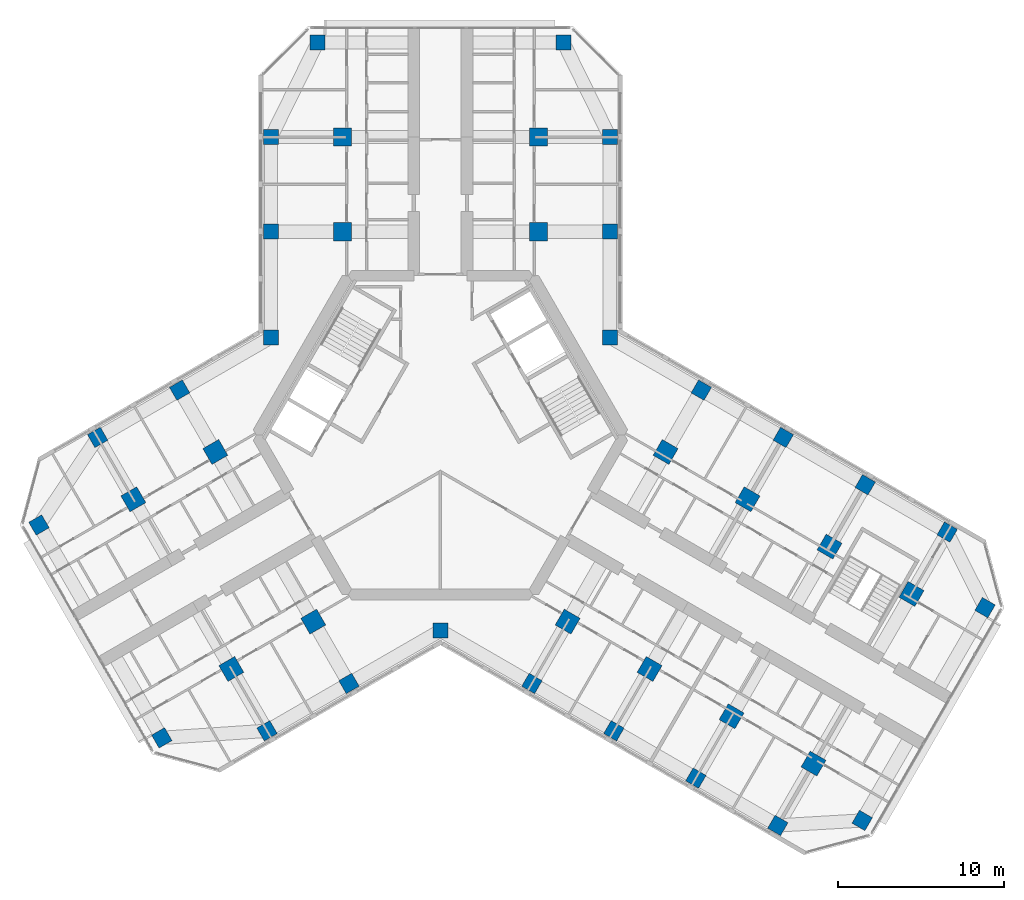
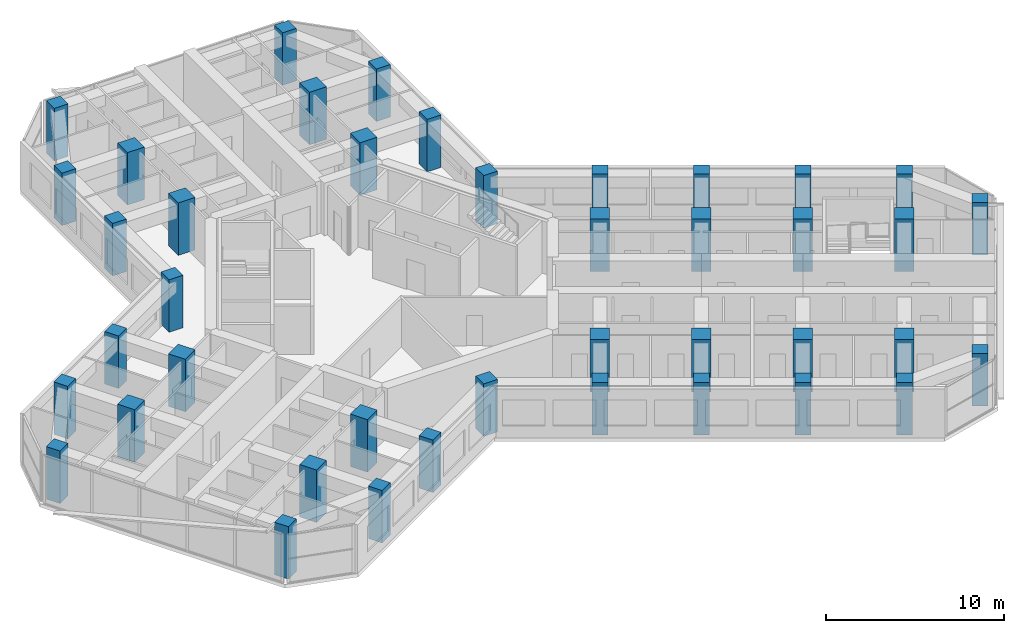
# One storey, part 1 of 16: 41 columns.
"""IFC4 building model written with IfcOpenShell, lengths in metres."""

from ifc_helpers import new_model, si_unit, direction, frame, origin, origin_2d, place, context, subcontext, project, spatial, rectangle, extrude, material, material_profile, profile_set, type_object, element, save


model = new_model("IFC4")

# Units and contexts
model_context = context("Model", 3, precision=1e-05, world=origin(), true_north=direction((0.0, 1.0)))
body_context = subcontext(model_context, "Body", "Model", "MODEL_VIEW")
ifc_project = project(units=[si_unit("LENGTHUNIT", "METRE"), si_unit("AREAUNIT", "SQUARE_METRE"), si_unit("VOLUMEUNIT", "CUBIC_METRE"), si_unit("PLANEANGLEUNIT", "RADIAN"), si_unit("MASSUNIT", "GRAM", prefix="KILO")], contexts=[model_context])

# Site, building, storey
site_placement = place(None, origin())
site = spatial("IfcSite", under=ifc_project, at=site_placement, CompositionType="ELEMENT")
building_placement = place(site_placement, origin())
building = spatial("IfcBuilding", under=site, at=building_placement, Name="Kosmar Iwan School Tower", CompositionType="ELEMENT")
storey_placement = place(building_placement, frame((0.0, 0.0, 208.199951171875)))
storey = spatial("IfcBuildingStorey", under=building, at=storey_placement, Name="L52", CompositionType="ELEMENT", Elevation=208.199951171875)

# Columns
ifc_material_1 = material(Name="Concrete C50/60", Category="concrete")
ifc_material_profile_1 = material_profile(ifc_material_1, rectangle(XDim=0.89990234375, YDim=0.89990234375, at=origin_2d()), Name="RC 900x900 + HD 400x347")
ifc_profile_set_1 = profile_set([ifc_material_profile_1], Name="Concrete C50/60")
column_type_1 = type_object("IfcColumnType", Name="Composite column 900x900 HD 400x347", PredefinedType="COLUMN", material=ifc_profile_set_1)
for number, where, z_axis, x_axis, name in (
    (1, (-10.199951171875, 12.25, 0.0), (0.0, 0.0, 1.0), (0.0, 1.0, 0.0), "Column AL1 L52"),
    (2, (-10.199951171875, 17.949951171875, 0.0), (0.0, 0.0, 1.0), (0.0, 1.0, 0.0), "Column AL2 L52"),
    (3, (-7.39990234375, 23.64990234375, 0.0), (0.0, 0.0, 1.0), (0.0, 1.0, 0.0), "Column ALTIP L52"),
    (4, (10.199951171875, 12.25, 0.0), (0.0, 0.0, 1.0), (0.0, 1.0, 0.0), "Column AR1 L52"),
    (5, (10.199951171875, 17.949951171875, 0.0), (0.0, 0.0, 1.0), (0.0, 1.0, 0.0), "Column AR2 L52"),
    (6, (7.39990234375, 23.64990234375, 0.0), (0.0, 0.0, 1.0), (0.0, 1.0, 0.0), "Column ARTIP L52"),
    (7, (-5.5087890625, -14.95849609375, 0.0), (0.0, 0.0, 1.0), (-0.866025403784, -0.5, 0.0), "Column BL1 L52"),
    (8, (-10.445068359375, -17.808349609375, 0.0), (0.0, 0.0, 1.0), (-0.866025403784, -0.5, 0.0), "Column BL2 L52"),
    (9, (-16.781494140625, -18.233642578125, 0.0), (0.0, 0.0, 1.0), (-0.866025403784, -0.5, 0.0), "Column BLTIP L52"),
    (10, (-15.708740234375, 2.70849609375, 0.0), (0.0, 0.0, 1.0), (-0.866025403784, -0.5, 0.0), "Column BR1 L52"),
    (11, (-20.645263671875, -0.1416015625, 0.0), (0.0, 0.0, 1.0), (-0.866025403784, -0.5, 0.0), "Column BR2 L52"),
    (12, (-24.181396484375, -5.41650390625, 0.0), (0.0, 0.0, 1.0), (-0.866025403784, -0.5, 0.0), "Column BRTIP L52"),
    (13, (15.708740234375, 2.70849609375, 0.0), (0.0, 0.0, 1.0), (0.866025403784, -0.5, 0.0), "Column CL1 L52"),
    (14, (20.645263671875, -0.1416015625, 0.0), (0.0, 0.0, 1.0), (0.866025403784, -0.5, 0.0), "Column CL2 L52"),
    (15, (25.58154296875, -2.991455078125, 0.0), (0.0, 0.0, 1.0), (0.866025403784, -0.5, 0.0), "Column CL3 L52"),
    (16, (30.517822265625, -5.841552734375, 0.0), (0.0, 0.0, 1.0), (0.866025403784, -0.5, 0.0), "Column CL4 L52"),
    (17, (32.79833984375, -10.391357421875, 0.0), (0.0, 0.0, 1.0), (0.866025403784, -0.5, 0.0), "Column CLTIP L52"),
    (18, (5.5087890625, -14.95849609375, 0.0), (0.0, 0.0, 1.0), (0.866025403784, -0.5, 0.0), "Column CR1 L52"),
    (19, (10.445068359375, -17.808349609375, 0.0), (0.0, 0.0, 1.0), (0.866025403784, -0.5, 0.0), "Column CR2 L52"),
    (20, (15.381591796875, -20.658447265625, 0.0), (0.0, 0.0, 1.0), (0.866025403784, -0.5, 0.0), "Column CR3 L52"),
    (21, (20.31787109375, -23.508544921875, 0.0), (0.0, 0.0, 1.0), (0.866025403784, -0.5, 0.0), "Column CR4 L52"),
    (22, (25.3984375, -23.20849609375, 0.0), (0.0, 0.0, 1.0), (0.866025403784, -0.5, 0.0), "Column CRTIP L52"),
    (23, (-10.199951171875, 5.888916015625, 0.0), (0.0, 0.0, 1.0), (1.0, 0.0, 0.0), "Column RAB L52"),
    (24, (10.199951171875, 5.888916015625, 0.0), (0.0, 0.0, 1.0), (1.0, 0.0, 0.0), "Column RAC L52"),
    (25, (0.0, -11.77783203125, 0.0), (0.0, 0.0, 1.0), (1.0, 0.0, 0.0), "Column RBC L52"),
):
    element("IfcColumn", number, at=place(storey_placement, frame(where, z_axis=z_axis, x_axis=x_axis)), inside=storey, type_object=column_type_1, Name=name, PredefinedType="COLUMN", context=body_context, shape_type="SweptSolid", body=[
        extrude(rectangle(XDim=0.89990234375, YDim=0.89990234375, at=origin_2d()), origin(), (0.0, 0.0, 1.0), 3.60009765625),
    ])
ifc_material_2 = material(Name="Concrete C50/60", Category="concrete")
ifc_material_profile_2 = material_profile(ifc_material_2, rectangle(XDim=1.10009765625, YDim=1.10009765625, at=origin_2d()), Name="RC 1100x1100")
ifc_profile_set_2 = profile_set([ifc_material_profile_2], Name="Concrete C50/60")
column_type_2 = type_object("IfcColumnType", Name="RC interior column 1100x1100", PredefinedType="COLUMN", material=ifc_profile_set_2)
for number, where, z_axis, x_axis, name in (
    (26, (-5.89990234375, 12.25, 0.0), (0.0, 0.0, 1.0), (0.0, 1.0, 0.0), "Interior column ALI1 L52"),
    (27, (-5.89990234375, 17.949951171875, 0.0), (0.0, 0.0, 1.0), (0.0, 1.0, 0.0), "Interior column ALI2 L52"),
    (28, (5.89990234375, 12.25, 0.0), (0.0, 0.0, 1.0), (0.0, 1.0, 0.0), "Interior column ARI1 L52"),
    (29, (5.89990234375, 17.949951171875, 0.0), (0.0, 0.0, 1.0), (0.0, 1.0, 0.0), "Interior column ARI2 L52"),
    (30, (-7.65869140625, -11.234619140625, 0.0), (0.0, 0.0, 1.0), (-0.866025403784, -0.5, 0.0), "Interior column BLI1 L52"),
    (31, (-12.59521484375, -14.08447265625, 0.0), (0.0, 0.0, 1.0), (-0.866025403784, -0.5, 0.0), "Interior column BLI2 L52"),
    (32, (-13.558837890625, -1.015380859375, 0.0), (0.0, 0.0, 1.0), (-0.866025403784, -0.5, 0.0), "Interior column BRI1 L52"),
    (33, (-18.4951171875, -3.865478515625, 0.0), (0.0, 0.0, 1.0), (-0.866025403784, -0.5, 0.0), "Interior column BRI2 L52"),
    (34, (13.558837890625, -1.015380859375, 0.0), (0.0, 0.0, 1.0), (0.866025403784, -0.5, 0.0), "Interior column CLI1 L52"),
    (35, (18.4951171875, -3.865478515625, 0.0), (0.0, 0.0, 1.0), (0.866025403784, -0.5, 0.0), "Interior column CLI2 L52"),
    (36, (23.431396484375, -6.71533203125, 0.0), (0.0, 0.0, 1.0), (0.866025403784, -0.5, 0.0), "Interior column CLI3 L52"),
    (37, (28.367919921875, -9.5654296875, 0.0), (0.0, 0.0, 1.0), (0.866025403784, -0.5, 0.0), "Interior column CLI4 L52"),
    (38, (7.65869140625, -11.234619140625, 0.0), (0.0, 0.0, 1.0), (0.866025403784, -0.5, 0.0), "Interior column CRI1 L52"),
    (39, (12.59521484375, -14.08447265625, 0.0), (0.0, 0.0, 1.0), (0.866025403784, -0.5, 0.0), "Interior column CRI2 L52"),
    (40, (17.531494140625, -16.9345703125, 0.0), (0.0, 0.0, 1.0), (0.866025403784, -0.5, 0.0), "Interior column CRI3 L52"),
    (41, (22.4677734375, -19.78466796875, 0.0), (0.0, 0.0, 1.0), (0.866025403784, -0.5, 0.0), "Interior column CRI4 L52"),
):
    element("IfcColumn", number, at=place(storey_placement, frame(where, z_axis=z_axis, x_axis=x_axis)), inside=storey, type_object=column_type_2, Name=name, PredefinedType="COLUMN", context=body_context, shape_type="SweptSolid", body=[
        extrude(rectangle(XDim=1.10009765625, YDim=1.10009765625, at=origin_2d()), origin(), (0.0, 0.0, 1.0), 3.60009765625),
    ])

save(model, "model.ifc")
